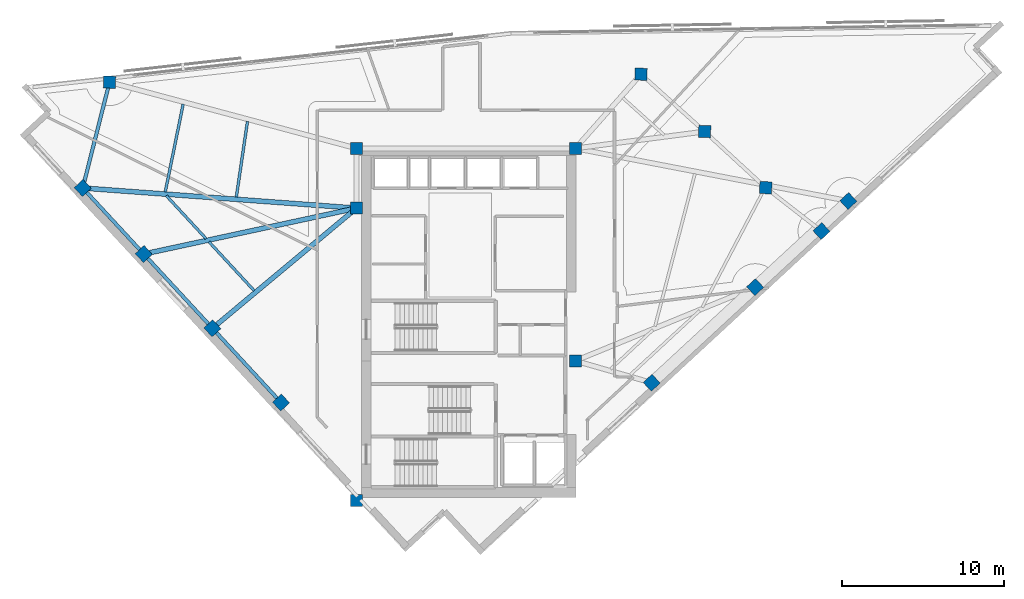
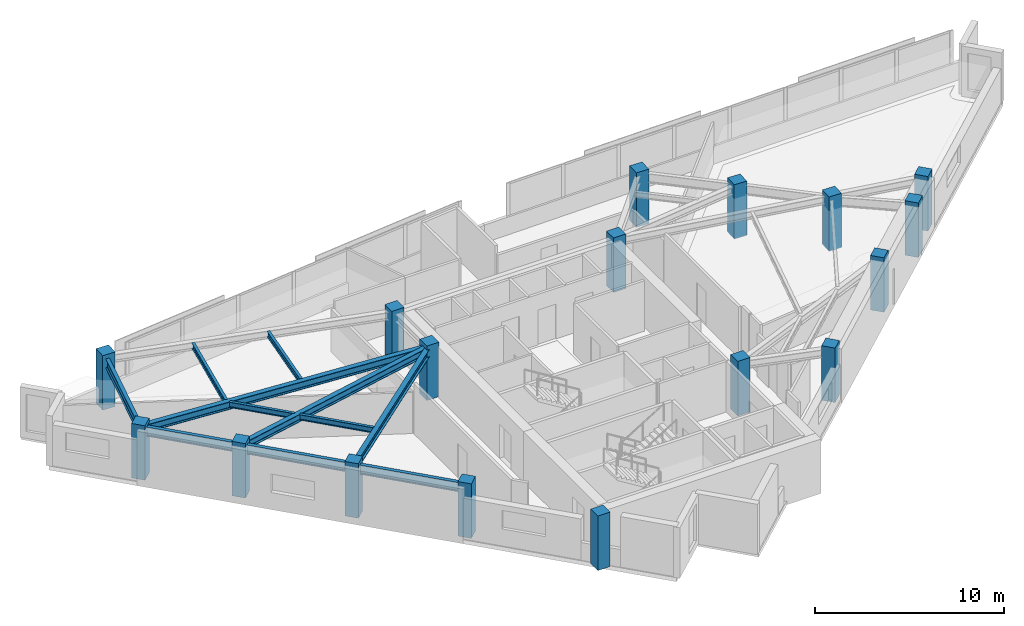
# One storey, part 1 of 12: 17 columns, 11 beams.
"""IFC4 building model written with IfcOpenShell, lengths in metres."""

from ifc_helpers import new_model, si_unit, direction, frame, origin, origin_2d, place, context, subcontext, project, spatial, rectangle, i_section, extrude, material, material_profile, profile_set, type_object, element, save


model = new_model("IFC4")

# Units and contexts
model_context = context("Model", 3, precision=1e-05, world=origin(), true_north=direction((0.0, 1.0)))
body_context = subcontext(model_context, "Body", "Model", "MODEL_VIEW")
ifc_project = project(units=[si_unit("LENGTHUNIT", "METRE"), si_unit("AREAUNIT", "SQUARE_METRE"), si_unit("VOLUMEUNIT", "CUBIC_METRE"), si_unit("PLANEANGLEUNIT", "RADIAN"), si_unit("MASSUNIT", "GRAM", prefix="KILO")], contexts=[model_context])

# Site, building, storey
site_placement = place(None, origin())
site = spatial("IfcSite", under=ifc_project, at=site_placement, CompositionType="ELEMENT")
building_placement = place(site_placement, origin())
building = spatial("IfcBuilding", under=site, at=building_placement, Name="Narakoshi Arena Tower", CompositionType="ELEMENT")
storey_placement = place(building_placement, frame((0.0, 0.0, 267.780029296875)))
storey = spatial("IfcBuildingStorey", under=building, at=storey_placement, Name="L73", CompositionType="ELEMENT", Elevation=267.780029296875)

# Columns
ifc_material_1 = material(Name="Concrete C50/60", Category="concrete")
ifc_material_profile_1 = material_profile(ifc_material_1, rectangle(XDim=0.75, YDim=0.75, at=origin_2d()), Name="RC750x750")
ifc_profile_set_1 = profile_set([ifc_material_profile_1], Name="Concrete C50/60")
column_type = type_object("IfcColumnType", Name="COL-RC750", PredefinedType="COLUMN", material=ifc_profile_set_1)
for number, where, z_axis, x_axis, name in (
    (1, (72.0, 34.699951171875, 0.0), (0.0, 0.0, 1.0), (1.0, 0.0, 0.0), "L73 Core Structural Column CC1"),
    (2, (85.550048828125, 43.35009765625, 0.0), (0.0, 0.0, 1.0), (1.0, 0.0, 0.0), "L73 Core Structural Column CC3"),
    (3, (72.0, 52.800048828125, 0.0), (0.0, 0.0, 1.0), (1.0, 0.0, 0.0), "L73 Core Structural Column CC4"),
    (4, (72.0, 56.5, 0.0), (0.0, 0.0, 1.0), (1.0, 0.0, 0.0), "L73 Core Structural Column CC5"),
    (5, (85.550048828125, 56.5, 0.0), (0.0, 0.0, 1.0), (1.0, 0.0, 0.0), "L73 Core Structural Column CC6"),
    (6, (90.2734375, 41.992919921875, 0.0), (0.0, 0.0, 1.0), (0.734322509436, 0.678800745533, 0.0), "L73 Tower Perimeter Column TC01"),
    (7, (96.6787109375, 47.913818359375, 0.0), (0.0, 0.0, 1.0), (0.734322509436, 0.678800745533, 0.0), "L73 Tower Perimeter Column TC02"),
    (8, (102.443359375, 53.242431640625, 0.0), (0.0, 0.0, 1.0), (0.734322509436, 0.678800745533, 0.0), "L73 Tower Perimeter Column TC03"),
    (9, (100.78173828125, 51.379638671875, 0.0), (0.0, 0.0, 1.0), (0.734322509436, 0.678800745533, 0.0), "L73 Tower Perimeter Column TC04"),
    (10, (97.3291015625, 54.0654296875, 0.0), (0.0, 0.0, 1.0), (0.039259815759, 0.999229036241, 0.0), "L73 Tower Perimeter Column TC05"),
    (11, (93.55029296875, 57.543701171875, 0.0), (0.0, 0.0, 1.0), (0.039259815759, 0.999229036241, 0.0), "L73 Tower Perimeter Column TC06"),
    (12, (89.611328125, 61.09033203125, 0.0), (0.0, 0.0, 1.0), (0.039259815759, 0.999229036241, 0.0), "L73 Tower Perimeter Column TC07"),
    (13, (56.717041015625, 60.59814453125, 0.0), (0.0, 0.0, 1.0), (0.039259815759, 0.999229036241, 0.0), "L73 Tower Perimeter Column TC10"),
    (14, (55.05810546875, 54.04638671875, 0.0), (0.0, 0.0, 1.0), (-0.678800745533, 0.734322509436, 0.0), "L73 Tower Perimeter Column TC13"),
    (15, (58.8349609375, 49.960693359375, 0.0), (0.0, 0.0, 1.0), (-0.678800745533, 0.734322509436, 0.0), "L73 Tower Perimeter Column TC14"),
    (16, (63.083984375, 45.3642578125, 0.0), (0.0, 0.0, 1.0), (-0.678800745533, 0.734322509436, 0.0), "L73 Tower Perimeter Column TC15"),
    (17, (67.332763671875, 40.767578125, 0.0), (0.0, 0.0, 1.0), (-0.678800745533, 0.734322509436, 0.0), "L73 Tower Perimeter Column TC16"),
):
    element("IfcColumn", number, at=place(storey_placement, frame(where, z_axis=z_axis, x_axis=x_axis)), inside=storey, type_object=column_type, Name=name, PredefinedType="COLUMN", context=body_context, shape_type="SweptSolid", body=[
        extrude(rectangle(XDim=0.75, YDim=0.75, at=origin_2d()), origin(), (0.0, 0.0, 1.0), 3.52001953125),
    ])

# Beams
ifc_material_2 = material(Name="Structural steel S355J2", Category="steel")
ifc_material_profile_2 = material_profile(ifc_material_2, i_section(OverallWidth=0.219970703125, OverallDepth=0.60009765625, WebThickness=0.011962890625, FlangeThickness=0.01904296875, FilletRadius=0.02392578125, at=origin_2d()), Name="IPE600")
ifc_profile_set_2 = profile_set([ifc_material_profile_2], Name="Structural steel S355J2")
beam_type_1 = type_object("IfcBeamType", Name="BM-EDGE-600", PredefinedType="BEAM", material=ifc_profile_set_2)
beam_1_placement = place(storey_placement, frame((56.717041015625, 60.59814453125, 2.9599609375), z_axis=(-0.245458392699, -0.969407126781, 0.0), x_axis=(0.969407126781, -0.245458392699, 0.0)))
element("IfcBeam", 18, at=beam_1_placement, inside=storey, type_object=beam_type_1, Name="L73 Perimeter Edge Girder 08", PredefinedType="BEAM", context=body_context, shape_type="SweptSolid", body=[
    extrude(i_section(OverallWidth=0.219970703125, OverallDepth=0.60009765625, WebThickness=0.011962890625, FlangeThickness=0.01904296875, FilletRadius=0.02392578125, at=origin_2d()), origin(), (0.0, 0.0, 1.0), 6.758544921875),
])
beam_2_placement = place(storey_placement, frame((55.05810546875, 54.04638671875, 2.9599609375), z_axis=(0.678808438166, -0.734315398365, 0.0), x_axis=(0.734315398365, 0.678808438166, 0.0)))
element("IfcBeam", 19, at=beam_2_placement, inside=storey, type_object=beam_type_1, Name="L73 Perimeter Edge Girder 09", PredefinedType="BEAM", context=body_context, shape_type="SweptSolid", body=[
    extrude(i_section(OverallWidth=0.219970703125, OverallDepth=0.60009765625, WebThickness=0.011962890625, FlangeThickness=0.01904296875, FilletRadius=0.02392578125, at=origin_2d()), origin(), (0.0, 0.0, 1.0), 5.56396484375),
])
for number, where, z_axis, x_axis, name in (
    (20, (58.8349609375, 49.960693359375, 2.9599609375), (0.678811265787, -0.734312784473, 0.0), (0.734312784473, 0.678811265787, 0.0), "L73 Perimeter Edge Girder 10"),
    (21, (63.083984375, 45.3642578125, 2.9599609375), (0.678770792221, -0.734350196859, 0.0), (0.734350196859, 0.678770792221, 0.0), "L73 Perimeter Edge Girder 11"),
):
    element("IfcBeam", number, at=place(storey_placement, frame(where, z_axis=z_axis, x_axis=x_axis)), inside=storey, type_object=beam_type_1, Name=name, PredefinedType="BEAM", context=body_context, shape_type="SweptSolid", body=[
        extrude(i_section(OverallWidth=0.219970703125, OverallDepth=0.60009765625, WebThickness=0.011962890625, FlangeThickness=0.01904296875, FilletRadius=0.02392578125, at=origin_2d()), origin(), (0.0, 0.0, 1.0), 6.259521484375),
    ])
ifc_material_profile_3 = material_profile(ifc_material_2, i_section(OverallWidth=0.300048828125, OverallDepth=0.5, WebThickness=0.014404296875, FlangeThickness=0.028076171875, FilletRadius=0.027099609375, at=origin_2d()), Name="HE500B")
ifc_profile_set_3 = profile_set([ifc_material_profile_3], Name="Structural steel S355J2")
beam_type_2 = type_object("IfcBeamType", Name="BM-PRI-500", PredefinedType="BEAM", material=ifc_profile_set_3)
beam_3_placement = place(storey_placement, frame((72.0, 52.800048828125, 3.010009765625), z_axis=(-0.997304997013, 0.073367178859, 0.0), x_axis=(-0.073367178859, -0.997304997013, 0.0)))
element("IfcBeam", 22, at=beam_3_placement, inside=storey, type_object=beam_type_2, Name="L73 Radial Primary Floor Girder 09", PredefinedType="BEAM", context=body_context, shape_type="SweptSolid", body=[
    extrude(i_section(OverallWidth=0.300048828125, OverallDepth=0.5, WebThickness=0.014404296875, FlangeThickness=0.028076171875, FilletRadius=0.027099609375, at=origin_2d()), origin(), (0.0, 0.0, 1.0), 16.98779296875),
])
beam_4_placement = place(storey_placement, frame((72.0, 52.800048828125, 3.010009765625), z_axis=(-0.977523534755, -0.210826324256, 0.0), x_axis=(0.210826324256, -0.977523534755, 0.0)))
element("IfcBeam", 23, at=beam_4_placement, inside=storey, type_object=beam_type_2, Name="L73 Radial Primary Floor Girder 10", PredefinedType="BEAM", context=body_context, shape_type="SweptSolid", body=[
    extrude(i_section(OverallWidth=0.300048828125, OverallDepth=0.5, WebThickness=0.014404296875, FlangeThickness=0.028076171875, FilletRadius=0.027099609375, at=origin_2d()), origin(), (0.0, 0.0, 1.0), 13.4677734375),
])
beam_5_placement = place(storey_placement, frame((72.0, 52.800048828125, 3.010009765625), z_axis=(-0.767976460513, -0.640478068397, 0.0), x_axis=(0.640478068397, -0.767976460513, 0.0)))
element("IfcBeam", 24, at=beam_5_placement, inside=storey, type_object=beam_type_2, Name="L73 Radial Primary Floor Girder 11", PredefinedType="BEAM", context=body_context, shape_type="SweptSolid", body=[
    extrude(i_section(OverallWidth=0.300048828125, OverallDepth=0.5, WebThickness=0.014404296875, FlangeThickness=0.028076171875, FilletRadius=0.027099609375, at=origin_2d()), origin(), (0.0, 0.0, 1.0), 11.60986328125),
])
ifc_material_profile_4 = material_profile(ifc_material_2, i_section(OverallWidth=0.169921875, OverallDepth=0.360107421875, WebThickness=0.008056640625, FlangeThickness=0.0126953125, FilletRadius=0.01806640625, at=origin_2d()), Name="IPE360")
ifc_profile_set_4 = profile_set([ifc_material_profile_4], Name="Structural steel S355J2")
beam_type_3 = type_object("IfcBeamType", Name="BM-SEC-360", PredefinedType="JOIST", material=ifc_profile_set_4)
beam_6_placement = place(storey_placement, frame((65.255859375, 58.169677734375, 3.080078125), z_axis=(-0.145762470348, -0.989319615816, 0.0), x_axis=(0.989319615816, -0.145762470348, 0.0)))
element("IfcBeam", 25, at=beam_6_placement, inside=storey, type_object=beam_type_3, Name="L73 Composite Secondary Floor Joist 06", PredefinedType="JOIST", context=body_context, shape_type="SweptSolid", body=[
    extrude(i_section(OverallWidth=0.169921875, OverallDepth=0.360107421875, WebThickness=0.008056640625, FlangeThickness=0.0126953125, FilletRadius=0.01806640625, at=origin_2d()), origin(), (0.0, 0.0, 1.0), 4.73828125),
])
beam_7_placement = place(storey_placement, frame((61.27490234375, 59.236328125, 3.080078125), z_axis=(-0.199731342868, -0.979850698156, 0.0), x_axis=(0.979850698156, -0.199731342868, 0.0)))
element("IfcBeam", 26, at=beam_7_placement, inside=storey, type_object=beam_type_3, Name="L73 Composite Secondary Floor Joist 07", PredefinedType="JOIST", context=body_context, shape_type="SweptSolid", body=[
    extrude(i_section(OverallWidth=0.169921875, OverallDepth=0.360107421875, WebThickness=0.008056640625, FlangeThickness=0.0126953125, FilletRadius=0.01806640625, at=origin_2d()), origin(), (0.0, 0.0, 1.0), 5.543212890625),
])
beam_8_placement = place(storey_placement, frame((60.232421875, 53.5732421875, 3.080078125), z_axis=(0.678811454839, -0.73431260971, 0.0), x_axis=(0.73431260971, 0.678811454839, 0.0)))
element("IfcBeam", 27, at=beam_8_placement, inside=storey, type_object=beam_type_3, Name="L73 Composite Secondary Floor Joist 08", PredefinedType="JOIST", context=body_context, shape_type="SweptSolid", body=[
    extrude(i_section(OverallWidth=0.169921875, OverallDepth=0.360107421875, WebThickness=0.008056640625, FlangeThickness=0.0126953125, FilletRadius=0.01806640625, at=origin_2d()), origin(), (0.0, 0.0, 1.0), 3.624755859375),
])
beam_9_placement = place(storey_placement, frame((62.876220703125, 50.71337890625, 3.080078125), z_axis=(0.678770736096, -0.734350248736, 0.0), x_axis=(0.734350248736, 0.678770736096, 0.0)))
element("IfcBeam", 28, at=beam_9_placement, inside=storey, type_object=beam_type_3, Name="L73 Composite Secondary Floor Joist 09", PredefinedType="JOIST", context=body_context, shape_type="SweptSolid", body=[
    extrude(i_section(OverallWidth=0.169921875, OverallDepth=0.360107421875, WebThickness=0.008056640625, FlangeThickness=0.0126953125, FilletRadius=0.01806640625, at=origin_2d()), origin(), (0.0, 0.0, 1.0), 4.111572265625),
])

save(model, "model.ifc")
